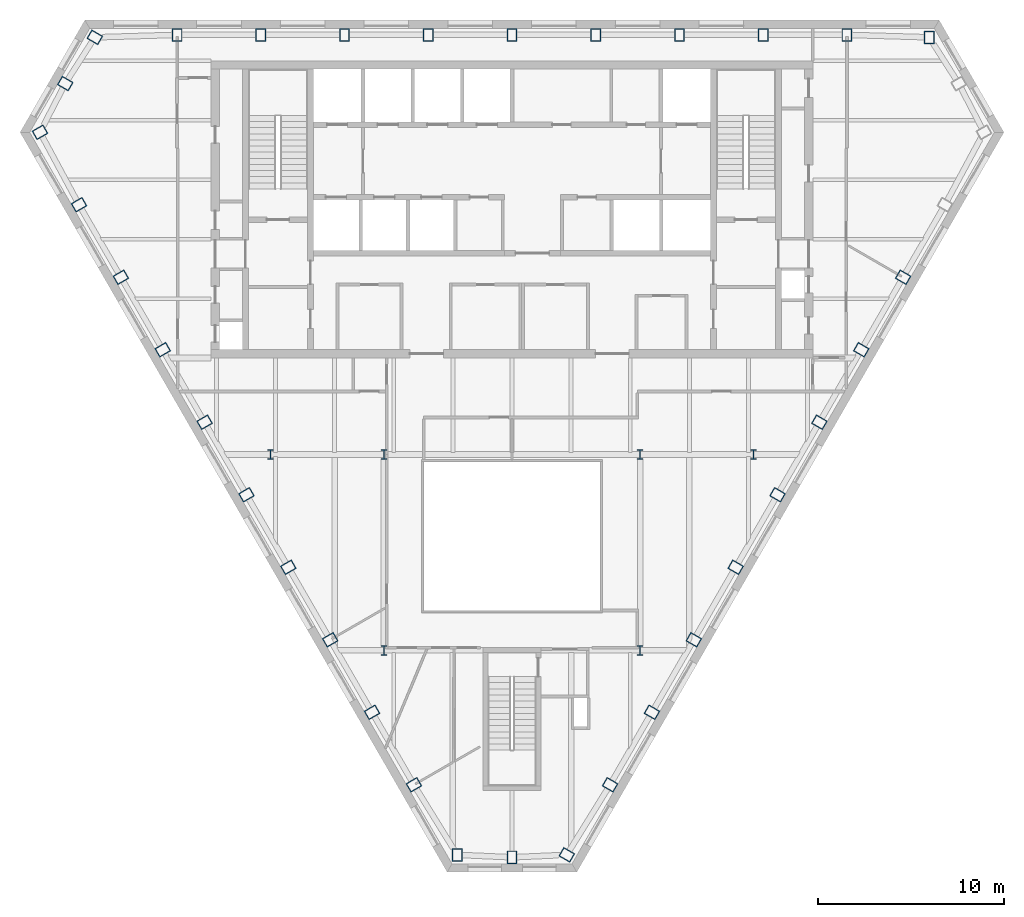
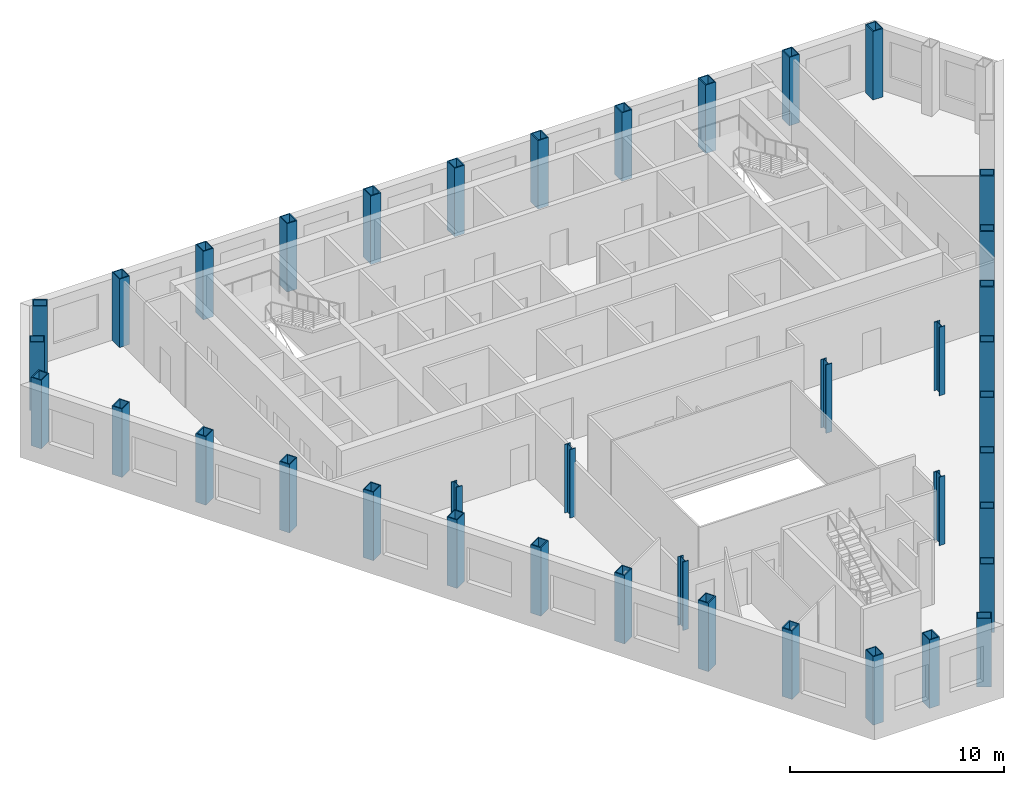
# One storey, part 1 of 11: 39 columns.
"""IFC4 building model written with IfcOpenShell, lengths in metres."""

from ifc_helpers import new_model, si_unit, direction, frame, origin, origin_2d, place, context, subcontext, project, spatial, hollow_rectangle, i_section, extrude, material, material_profile, profile_set, type_object, element, save


model = new_model("IFC4")

# Units and contexts
model_context = context("Model", 3, precision=1e-05, world=origin(), true_north=direction((0.0, 1.0)))
body_context = subcontext(model_context, "Body", "Model", "MODEL_VIEW")
ifc_project = project(units=[si_unit("LENGTHUNIT", "METRE"), si_unit("AREAUNIT", "SQUARE_METRE"), si_unit("VOLUMEUNIT", "CUBIC_METRE"), si_unit("PLANEANGLEUNIT", "RADIAN"), si_unit("MASSUNIT", "GRAM", prefix="KILO")], contexts=[model_context])

# Site, building, storey
site_placement = place(None, origin())
site = spatial("IfcSite", under=ifc_project, at=site_placement, CompositionType="ELEMENT")
building_placement = place(site_placement, origin())
building = spatial("IfcBuilding", under=site, at=building_placement, Name="Njiva Tower", CompositionType="ELEMENT")
storey_placement = place(building_placement, frame((0.0, 0.0, 223.8)))
storey = spatial("IfcBuildingStorey", under=building, at=storey_placement, Name="L50", CompositionType="ELEMENT", Elevation=223.8)

# Columns
ifc_material = material(Name="Steel S355 J2", Category="steel")
ifc_material_profile_1 = material_profile(ifc_material, hollow_rectangle(XDim=0.55, YDim=0.7, WallThickness=0.05, at=origin_2d()), Name="BOX 700x550x50")
ifc_profile_set_1 = profile_set([ifc_material_profile_1], Name="Steel S355 J2")
column_type_1 = type_object("IfcColumnType", Name="C11 Perimeter tube column BOX 700x550x50", PredefinedType="COLUMN", material=ifc_profile_set_1)
for number, where, z_axis, x_axis, name in (
    (1, (22.466, 19.267, 0.0), (0.0, 0.0, 1.0), (-1.0, 0.0, 0.0), "Perimeter tube column S16-C01"),
    (2, (18.034, 19.4, 0.0), (0.0, 0.0, 1.0), (-1.0, 0.0, 0.0), "Perimeter tube column S16-C02"),
    (3, (13.526, 19.4, 0.0), (0.0, 0.0, 1.0), (-1.0, 0.0, 0.0), "Perimeter tube column S16-C03"),
    (4, (9.017, 19.4, 0.0), (0.0, 0.0, 1.0), (-1.0, 0.0, 0.0), "Perimeter tube column S16-C04"),
    (5, (4.509, 19.4, 0.0), (0.0, 0.0, 1.0), (-1.0, 0.0, 0.0), "Perimeter tube column S16-C05"),
    (6, (0.0, 19.4, 0.0), (0.0, 0.0, 1.0), (-1.0, 0.0, 0.0), "Perimeter tube column S16-C06"),
    (7, (-4.509, 19.4, 0.0), (0.0, 0.0, 1.0), (-1.0, 0.0, 0.0), "Perimeter tube column S16-C07"),
    (8, (-9.017, 19.4, 0.0), (0.0, 0.0, 1.0), (-1.0, 0.0, 0.0), "Perimeter tube column S16-C08"),
    (9, (-13.526, 19.4, 0.0), (0.0, 0.0, 1.0), (-1.0, 0.0, 0.0), "Perimeter tube column S16-C09"),
    (10, (-18.034, 19.4, 0.0), (0.0, 0.0, 1.0), (-1.0, 0.0, 0.0), "Perimeter tube column S16-C10"),
    (11, (-22.466, 19.267, 0.0), (0.0, 0.0, 1.0), (-0.5, -0.866025403784, 0.0), "Perimeter tube column S16-C11"),
    (12, (-24.057, 16.778, 0.0), (0.0, 0.0, 1.0), (-0.5, -0.866025403784, 0.0), "Perimeter tube column S16-C12"),
    (13, (-25.418, 14.155, 0.0), (0.0, 0.0, 1.0), (0.5, -0.866025403784, 0.0), "Perimeter tube column S16-C13"),
    (14, (-23.317, 10.251, 0.0), (0.0, 0.0, 1.0), (0.5, -0.866025403784, 0.0), "Perimeter tube column S16-C14"),
    (15, (-21.063, 6.346, 0.0), (0.0, 0.0, 1.0), (0.5, -0.866025403784, 0.0), "Perimeter tube column S16-C15"),
    (16, (-18.808, 2.441, 0.0), (0.0, 0.0, 1.0), (0.5, -0.866025403784, 0.0), "Perimeter tube column S16-C16"),
    (17, (-16.554, -1.463, 0.0), (0.0, 0.0, 1.0), (0.5, -0.866025403784, 0.0), "Perimeter tube column S16-C17"),
    (18, (-14.3, -5.368, 0.0), (0.0, 0.0, 1.0), (0.5, -0.866025403784, 0.0), "Perimeter tube column S16-C18"),
    (19, (-12.045, -9.272, 0.0), (0.0, 0.0, 1.0), (0.5, -0.866025403784, 0.0), "Perimeter tube column S16-C19"),
    (20, (-9.791, -13.177, 0.0), (0.0, 0.0, 1.0), (0.5, -0.866025403784, 0.0), "Perimeter tube column S16-C20"),
    (21, (-7.537, -17.082, 0.0), (0.0, 0.0, 1.0), (0.5, -0.866025403784, 0.0), "Perimeter tube column S16-C21"),
    (22, (-5.282, -20.986, 0.0), (0.0, 0.0, 1.0), (0.5, -0.866025403784, 0.0), "Perimeter tube column S16-C22"),
    (23, (-2.951, -24.758, 0.0), (0.0, 0.0, 1.0), (1.0, 0.0, 0.0), "Perimeter tube column S16-C23"),
    (24, (0.0, -24.891, 0.0), (0.0, 0.0, 1.0), (1.0, 0.0, 0.0), "Perimeter tube column S16-C24"),
    (25, (2.951, -24.758, 0.0), (0.0, 0.0, 1.0), (0.5, 0.866025403784, 0.0), "Perimeter tube column S16-C25"),
    (26, (5.282, -20.986, 0.0), (0.0, 0.0, 1.0), (0.5, 0.866025403784, 0.0), "Perimeter tube column S16-C26"),
    (27, (7.537, -17.082, 0.0), (0.0, 0.0, 1.0), (0.5, 0.866025403784, 0.0), "Perimeter tube column S16-C27"),
    (28, (9.791, -13.177, 0.0), (0.0, 0.0, 1.0), (0.5, 0.866025403784, 0.0), "Perimeter tube column S16-C28"),
    (29, (12.045, -9.272, 0.0), (0.0, 0.0, 1.0), (0.5, 0.866025403784, 0.0), "Perimeter tube column S16-C29"),
    (30, (14.3, -5.368, 0.0), (0.0, 0.0, 1.0), (0.5, 0.866025403784, 0.0), "Perimeter tube column S16-C30"),
    (31, (16.554, -1.463, 0.0), (0.0, 0.0, 1.0), (0.5, 0.866025403784, 0.0), "Perimeter tube column S16-C31"),
    (32, (18.808, 2.441, 0.0), (0.0, 0.0, 1.0), (0.5, 0.866025403784, 0.0), "Perimeter tube column S16-C32"),
    (33, (21.063, 6.346, 0.0), (0.0, 0.0, 1.0), (0.5, 0.866025403784, 0.0), "Perimeter tube column S16-C33"),
):
    element("IfcColumn", number, at=place(storey_placement, frame(where, z_axis=z_axis, x_axis=x_axis)), inside=storey, type_object=column_type_1, Name=name, PredefinedType="COLUMN", context=body_context, shape_type="SweptSolid", body=[
        extrude(hollow_rectangle(XDim=0.55, YDim=0.7, WallThickness=0.05, at=origin_2d()), origin(), (0.0, 0.0, 1.0), 3.9),
    ])
ifc_material_profile_2 = material_profile(ifc_material, i_section(OverallWidth=0.306, OverallDepth=0.524, WebThickness=0.021, FlangeThickness=0.04, at=origin_2d()), Name="HEM 500")
ifc_profile_set_2 = profile_set([ifc_material_profile_2], Name="Steel S355 J2")
column_type_2 = type_object("IfcColumnType", Name="C12 Interior column HEM 500", PredefinedType="COLUMN", material=ifc_profile_set_2)
for number, where, z_axis, x_axis, name in (
    (34, (6.9, -3.2, 0.0), (0.0, 0.0, 1.0), (1.0, 0.0, 0.0), "Interior column S16-C37"),
    (35, (-6.9, -3.2, 0.0), (0.0, 0.0, 1.0), (1.0, 0.0, 0.0), "Interior column S16-C38"),
    (36, (6.9, -13.75, 0.0), (0.0, 0.0, 1.0), (1.0, 0.0, 0.0), "Interior column S16-C39"),
    (37, (-6.9, -13.75, 0.0), (0.0, 0.0, 1.0), (1.0, 0.0, 0.0), "Interior column S16-C40"),
    (38, (13.0, -3.2, 0.0), (0.0, 0.0, 1.0), (1.0, 0.0, 0.0), "Interior column S16-C41"),
    (39, (-13.0, -3.2, 0.0), (0.0, 0.0, 1.0), (1.0, 0.0, 0.0), "Interior column S16-C42"),
):
    element("IfcColumn", number, at=place(storey_placement, frame(where, z_axis=z_axis, x_axis=x_axis)), inside=storey, type_object=column_type_2, Name=name, PredefinedType="COLUMN", context=body_context, shape_type="SweptSolid", body=[
        extrude(i_section(OverallWidth=0.306, OverallDepth=0.524, WebThickness=0.021, FlangeThickness=0.04, at=origin_2d()), origin(), (0.0, 0.0, 1.0), 3.9),
    ])

save(model, "model.ifc")
